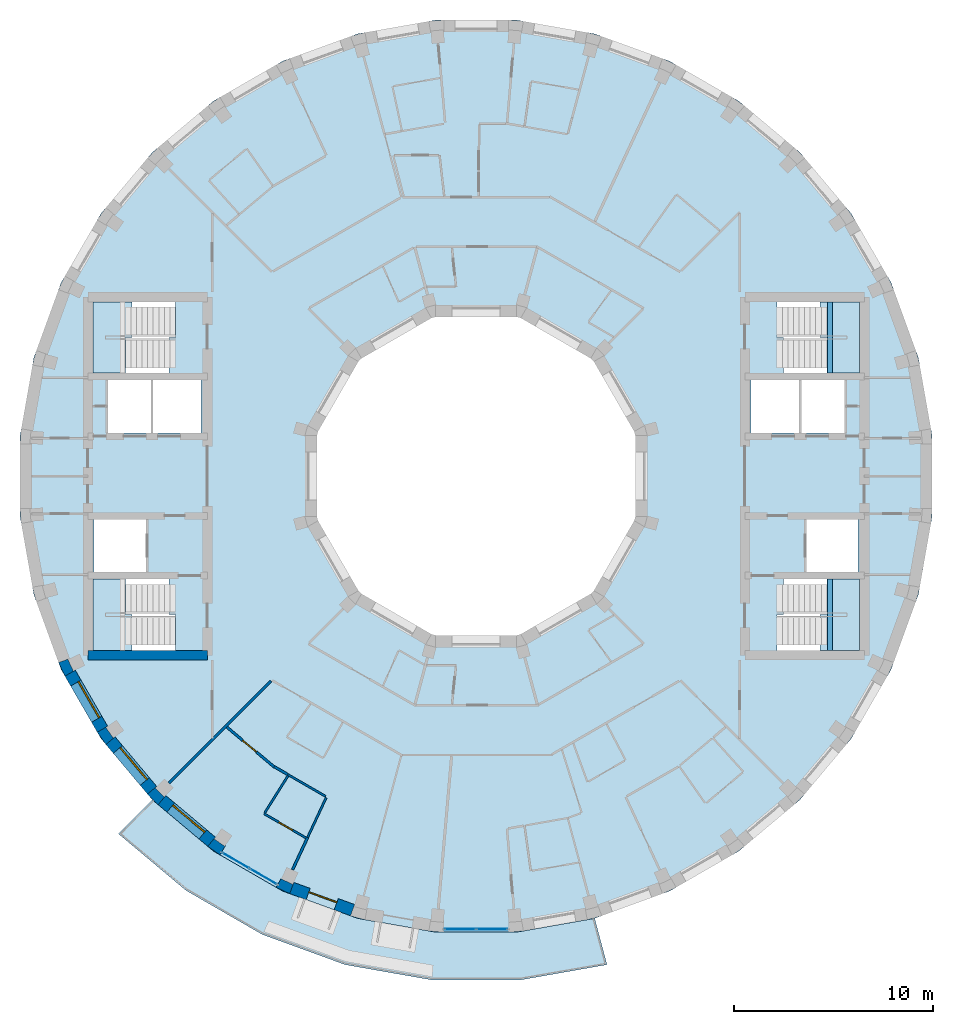
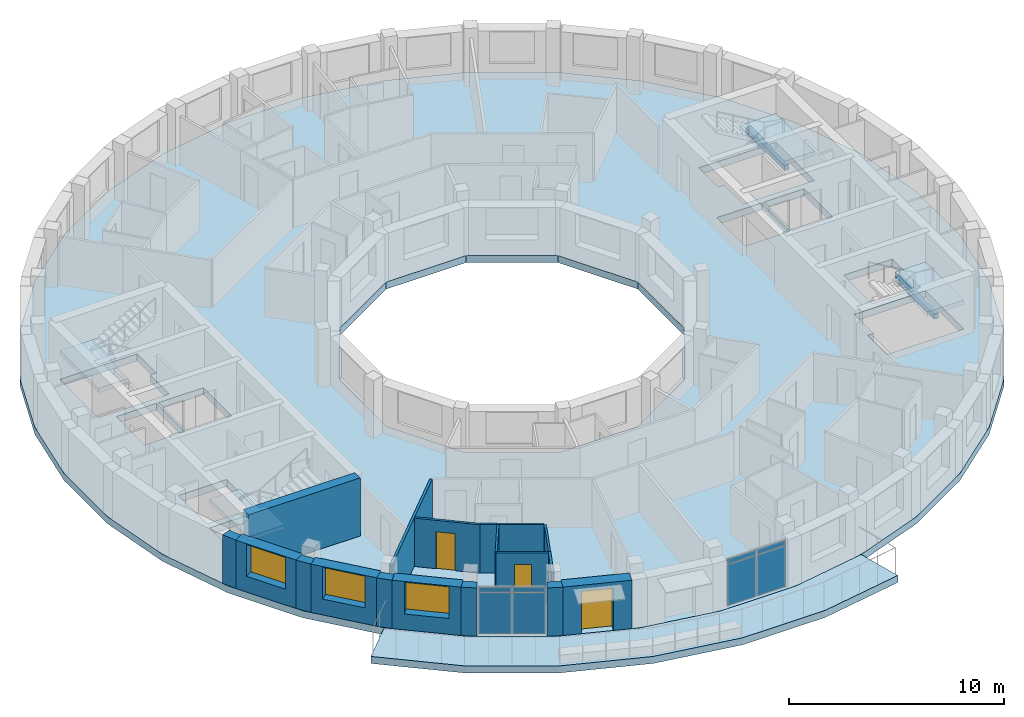
# One storey, part 3 of 12: 18 walls, 8 plates, 6 slabs, 3 doors, 3 windows, 2 beams, 6 openings, 6 elements without a shape of their own.
"""IFC4 building model written with IfcOpenShell, lengths in metres."""

import ifcopenshell
import ifcopenshell.guid

model = None  # the IFC model being written
_history = None  # IfcOwnerHistory: only IFC2X3 demands one
_inside = {}  # id of a spatial element -> (the spatial element, [elements in it])
_under = {}  # id of a project, library or spatial element -> (it, [spatial elements below it])
_declared = {}  # id of a project -> (the project, [libraries it declares])
_typed = {}  # id of a type object -> (the type object, [elements of that type])
_made_of = {}  # id of a material, layer set ... -> (it, [elements and type objects made of it])


def new_model(schema):
    """Start an empty IFC model of exactly this schema.

    Asked for "IFC4X3", IfcOpenShell would pick the latest addendum, in which some entities
    have other attributes; the version numbers below select the first issue.
    IFC2X3 requires an IfcOwnerHistory on every rooted entity: one is made here for all.
    """
    global model, _history
    if schema == "IFC4X3":
        model = ifcopenshell.file(schema_version=(4, 3, 0, 0))
    else:
        model = ifcopenshell.file(schema=schema)
    _inside.clear()
    _under.clear()
    _declared.clear()
    _typed.clear()
    _made_of.clear()
    _history = None
    if model.schema == "IFC2X3":
        org = make("IfcOrganization", Name="unknown")
        user = make(
            "IfcPersonAndOrganization",
            ThePerson=make("IfcPerson", FamilyName="unknown"),
            TheOrganization=org,
        )
        app = make(
            "IfcApplication",
            ApplicationDeveloper=org,
            Version="unknown",
            ApplicationFullName="unknown",
            ApplicationIdentifier="unknown",
        )
        _history = make(
            "IfcOwnerHistory",
            OwningUser=user,
            OwningApplication=app,
            ChangeAction="ADDED",
            CreationDate=0,
        )
    return model


def make(cls, **values):
    """One entity of the class cls with the attributes given. An attribute that is None is left unset."""
    return model.create_entity(
        cls, **{name: value for name, value in values.items() if value is not None}
    )


def rooted(cls, **values):
    """An entity with a GlobalId (a new one), such as an element, a storey or a relation."""
    return make(cls, GlobalId=ifcopenshell.guid.new(), OwnerHistory=_history, **values)


def si_unit(unit_type, name, prefix=None):
    """IfcSIUnit, for example si_unit("LENGTHUNIT", "METRE", prefix="MILLI")."""
    return make("IfcSIUnit", UnitType=unit_type, Prefix=prefix, Name=name)


def assignment(units):
    """IfcUnitAssignment: the units of a project."""
    return None if units is None else make("IfcUnitAssignment", Units=units)


def point(xyz):
    """IfcCartesianPoint."""
    return None if xyz is None else make("IfcCartesianPoint", Coordinates=xyz)


def direction(xyz):
    """IfcDirection."""
    return None if xyz is None else make("IfcDirection", DirectionRatios=xyz)


def frame(location, z_axis=None, x_axis=None):
    """IfcAxis2Placement3D, a coordinate frame: its origin and axes. An axis left out is left unset."""
    return make(
        "IfcAxis2Placement3D",
        Location=point(location),
        Axis=direction(z_axis),
        RefDirection=direction(x_axis),
    )


def frame_2d(location, x_axis=None):
    """IfcAxis2Placement2D, a coordinate frame in the plane: its origin and x axis."""
    return make(
        "IfcAxis2Placement2D", Location=point(location), RefDirection=direction(x_axis)
    )


def origin():
    """The frame at (0, 0, 0) with its axes left unset."""
    return frame((0.0, 0.0, 0.0))


def origin_2d():
    """The frame at (0, 0) in the plane with its x axis left unset."""
    return frame_2d((0.0, 0.0))


def place(relative_to, where):
    """IfcLocalPlacement: puts the frame where relative to a parent placement (None: the world)."""
    return make(
        "IfcLocalPlacement", PlacementRelTo=relative_to, RelativePlacement=where
    )


def context(
    kind, dimensions, precision=None, world=None, true_north=None, identifier=None
):
    """IfcGeometricRepresentationContext, for example the 3D "Model" context."""
    return make(
        "IfcGeometricRepresentationContext",
        ContextIdentifier=identifier,
        ContextType=kind,
        CoordinateSpaceDimension=dimensions,
        Precision=precision,
        WorldCoordinateSystem=world,
        TrueNorth=true_north,
    )


def subcontext(parent, identifier, kind, view, scale=None):
    """IfcGeometricRepresentationSubContext, for example "Body" below "Model"."""
    return make(
        "IfcGeometricRepresentationSubContext",
        ContextIdentifier=identifier,
        ContextType=kind,
        ParentContext=parent,
        TargetScale=scale,
        TargetView=view,
    )


def project(units=None, contexts=None):
    """IfcProject with its units and contexts."""
    return rooted(
        "IfcProject",
        Name="project",
        RepresentationContexts=contexts,
        UnitsInContext=assignment(units),
    )


def spatial(cls, under=None, at=None, **own):
    """A site, building, storey or space (cls), placed at a placement, below another one or the project."""
    s = rooted(cls, ObjectPlacement=at, **own)
    if under is not None:
        _under.setdefault(under.id(), (under, []))[1].append(s)
    return s


def polyline(points):
    """IfcPolyline through the points."""
    return make("IfcPolyline", Points=[point(p) for p in points])


def profile(cls, at=None, kind="AREA", **sizes):
    """A parametric profile (cls). Its sizes go by their IFC names, for example OverallWidth=200.0."""
    return make(cls, ProfileType=kind, Position=at, **sizes)


def rectangle(**sizes):
    """IfcRectangleProfileDef."""
    return profile("IfcRectangleProfileDef", **sizes)


def outline(outer, holes=None, kind="AREA"):
    """IfcArbitraryClosedProfileDef: a profile drawn as a closed curve; with holes, ...WithVoids."""
    if holes is None:
        return make("IfcArbitraryClosedProfileDef", ProfileType=kind, OuterCurve=outer)
    return make(
        "IfcArbitraryProfileDefWithVoids",
        ProfileType=kind,
        OuterCurve=outer,
        InnerCurves=holes,
    )


def extrude(swept, where, along, depth):
    """IfcExtrudedAreaSolid: the profile swept, set in the frame where, extruded along a direction by depth."""
    return make(
        "IfcExtrudedAreaSolid",
        SweptArea=swept,
        Position=where,
        ExtrudedDirection=direction(along),
        Depth=depth,
    )


def shape(context_of_items, identifier, shape_type, items):
    """IfcShapeRepresentation: the items that make up one representation, for example the "Body"."""
    return make(
        "IfcShapeRepresentation",
        ContextOfItems=context_of_items,
        RepresentationIdentifier=identifier,
        RepresentationType=shape_type,
        Items=items,
    )


def material(Name=None, Category=None):
    """IfcMaterial."""
    return make("IfcMaterial", Name=Name, Category=Category)


def layer(
    of_material, thickness, ventilated=None, Name=None, Category=None, Priority=None
):
    """IfcMaterialLayer: one layer of a wall or slab, of a material (None: an air gap)."""
    return make(
        "IfcMaterialLayer",
        Material=of_material,
        LayerThickness=thickness,
        IsVentilated=ventilated,
        Name=Name,
        Category=Category,
        Priority=Priority,
    )


def layer_set(layers, Name=None):
    """IfcMaterialLayerSet."""
    return make("IfcMaterialLayerSet", MaterialLayers=layers, LayerSetName=Name)


def material_profile(
    of_material, cross_section, Name=None, Category=None, Priority=None
):
    """IfcMaterialProfile: a cross section and its material."""
    return make(
        "IfcMaterialProfile",
        Name=Name,
        Material=of_material,
        Profile=cross_section,
        Priority=Priority,
        Category=Category,
    )


def profile_set(profiles, Name=None, composite=None):
    """IfcMaterialProfileSet."""
    return make(
        "IfcMaterialProfileSet",
        Name=Name,
        MaterialProfiles=profiles,
        CompositeProfile=composite,
    )


def made_of(thing, what):
    """Note that an element or type object is made of a material, layer set ...; save() writes the relation."""
    if what is not None:
        _made_of.setdefault(what.id(), (what, []))[1].append(thing)
    return thing


def type_object(cls, material=None, **own):
    """A type object (cls), such as IfcWallType, which elements share."""
    return made_of(rooted(cls, **own), material)


def element(
    cls,
    number,
    at=None,
    inside=None,
    cuts=None,
    type_object=None,
    material=None,
    context=None,
    identifier="Body",
    shape_type=None,
    held_by="IfcProductDefinitionShape",
    body=None,
    shapes=None,
    **own,
):
    """One element of the class cls, such as IfcWall. Its Tag is "e" and its number.

    at: its placement. inside: the storey or other place that contains it. cuts: it is an
    opening in that element (IfcRelVoidsElement). A single representation is given by context,
    identifier, shape_type and body (its items); several are given by shapes. held_by: the class
    of the entity that holds the representations. save() writes the other relations.
    """
    e = rooted(cls, Tag="e%d" % number, ObjectPlacement=at, **own)
    if body is not None:
        shapes = [shape(context, identifier, shape_type, body)]
    if shapes is not None:
        e.Representation = make(held_by, Representations=shapes)
    if inside is not None:
        _inside.setdefault(inside.id(), (inside, []))[1].append(e)
    if cuts is not None:
        rooted(
            "IfcRelVoidsElement", RelatingBuildingElement=cuts, RelatedOpeningElement=e
        )
    if type_object is not None:
        _typed.setdefault(type_object.id(), (type_object, []))[1].append(e)
    return made_of(e, material)


def fill(opening, filler):
    """IfcRelFillsElement: the door or window that sits in an opening."""
    return rooted(
        "IfcRelFillsElement",
        RelatingOpeningElement=opening,
        RelatedBuildingElement=filler,
    )


def aggregate(whole, parts):
    """IfcRelAggregates: a whole, such as a stair, and the parts it consists of."""
    return rooted("IfcRelAggregates", RelatingObject=whole, RelatedObjects=parts)


def save(model, path):
    """Write the relations noted so far, then the file.

    IfcRelAggregates (storeys below a building ...), IfcRelContainedInSpatialStructure (elements
    in a storey), IfcRelDefinesByType, IfcRelAssociatesMaterial and IfcRelDeclares: one each for
    every whole, place, type object, material and project.
    """
    for whole, parts in _under.values():
        aggregate(whole, parts)
    for where, things in _inside.values():
        rooted(
            "IfcRelContainedInSpatialStructure",
            RelatedElements=things,
            RelatingStructure=where,
        )
    for kind, things in _typed.values():
        rooted("IfcRelDefinesByType", RelatedObjects=things, RelatingType=kind)
    for what, things in _made_of.values():
        rooted("IfcRelAssociatesMaterial", RelatedObjects=things, RelatingMaterial=what)
    for by, libraries in _declared.values():
        rooted("IfcRelDeclares", RelatingContext=by, RelatedDefinitions=libraries)
    model.write(path)


model = new_model("IFC4")

# Units and contexts
model_context = context("Model", 3, precision=1e-05, world=origin(), true_north=direction((0.0, 1.0)))
body_context = subcontext(model_context, "Body", "Model", "MODEL_VIEW")
ifc_project = project(units=[si_unit("LENGTHUNIT", "METRE"), si_unit("AREAUNIT", "SQUARE_METRE"), si_unit("VOLUMEUNIT", "CUBIC_METRE"), si_unit("PLANEANGLEUNIT", "RADIAN"), si_unit("MASSUNIT", "GRAM", prefix="KILO")], contexts=[model_context])

# Site, building, storey
site_placement = place(None, origin())
site = spatial("IfcSite", under=ifc_project, at=site_placement, CompositionType="ELEMENT")
building_placement = place(site_placement, origin())
building = spatial("IfcBuilding", under=site, at=building_placement, Name="Saqina Gate Tower", CompositionType="ELEMENT")
storey_placement = place(building_placement, frame((0.0, 0.0, 275.89990234375)))
storey = spatial("IfcBuildingStorey", under=building, at=storey_placement, Name="L79", CompositionType="ELEMENT", Elevation=275.89990234375)

# Beams
ifc_material_1 = material(Name="Concrete C40/50", Category="concrete")
ifc_material_profile = material_profile(ifc_material_1, rectangle(XDim=0.25, YDim=0.300048828125, at=origin_2d()), Name="STAIR LANDING BEAM")
ifc_profile_set = profile_set([ifc_material_profile], Name="Concrete C40/50")
beam_type = type_object("IfcBeamType", Name="STAIR LANDING BEAM", PredefinedType="BEAM", material=ifc_profile_set)
for number, where, z_axis, x_axis, name in (
    (1, (17.77001953125, 5.175048828125, 1.25), (0.0, 1.0, 0.0), (-1.0, 0.0, 0.0), "EXIT STAIR 1 LANDING BEAM"),
    (2, (17.77001953125, -8.75, 1.25), (0.0, 1.0, 0.0), (-1.0, 0.0, 0.0), "EXIT STAIR 2 LANDING BEAM"),
):
    element("IfcBeam", number, at=place(storey_placement, frame(where, z_axis=z_axis, x_axis=x_axis)), inside=storey, type_object=beam_type, Name=name, PredefinedType="BEAM", context=body_context, shape_type="SweptSolid", body=[
        extrude(rectangle(XDim=0.25, YDim=0.300048828125, at=origin_2d()), origin(), (0.0, 0.0, 1.0), 3.574951171875),
    ])

# Curtain wall, plates
ifc_material_2 = material(Name="Aluminium glazing", Category="aluminium")
ifc_layer_1 = layer(ifc_material_2, 0.159912109375)
ifc_layer_set_1 = layer_set([ifc_layer_1], Name="CWT-4")
curtain_wall_type = type_object("IfcCurtainWallType", Name="CWT-4", PredefinedType="NOTDEFINED", material=ifc_layer_set_1)
curtain_wall_1_placement = place(storey_placement, origin())
curtain_wall_1 = element("IfcCurtainWall", 3, at=curtain_wall_1_placement, inside=storey, type_object=curtain_wall_type, Name="Terrace lounge glazing facet 24", PredefinedType="NOTDEFINED")
ifc_material_3 = material(Name="Glass", Category="glass")
ifc_layer_2 = layer(ifc_material_3, 0.028076171875)
ifc_layer_set_2 = layer_set([ifc_layer_2], Name="CWT-4P")
plate_type = type_object("IfcPlateType", Name="CWT-4P", PredefinedType="CURTAIN_PANEL", material=ifc_layer_set_2)
plate_1_placement = place(storey_placement, frame((-12.072265625, -19.31396484375, 0.06005859375), z_axis=(0.0, 0.0, 1.0), x_axis=(0.8660355365, -0.499982449212, 0.0)))
plate_1 = element("IfcPlate", 4, at=plate_1_placement, type_object=plate_type, Name="CW4-24 panel 1.1", PredefinedType="CURTAIN_PANEL", context=body_context, shape_type="SweptSolid", body=[
    extrude(rectangle(XDim=1.535888671875, YDim=0.028076171875, at=origin_2d()), origin(), (0.0, 0.0, 1.0), 2.31005859375),
])
plate_2_placement = place(storey_placement, frame((-12.072265625, -19.31396484375, 2.43017578125), z_axis=(0.0, 0.0, 1.0), x_axis=(0.8660355365, -0.499982449212, 0.0)))
plate_2 = element("IfcPlate", 5, at=plate_2_placement, type_object=plate_type, Name="CW4-24 panel 1.2", PredefinedType="CURTAIN_PANEL", context=body_context, shape_type="SweptSolid", body=[
    extrude(rectangle(XDim=1.535888671875, YDim=0.028076171875, at=origin_2d()), origin(), (0.0, 0.0, 1.0), 0.260009765625),
])
plate_3_placement = place(storey_placement, frame((-10.690185546875, -20.11181640625, 0.06005859375), z_axis=(0.0, 0.0, 1.0), x_axis=(0.8660355365, -0.499982449212, 0.0)))
plate_3 = element("IfcPlate", 6, at=plate_3_placement, type_object=plate_type, Name="CW4-24 panel 2.1", PredefinedType="CURTAIN_PANEL", context=body_context, shape_type="SweptSolid", body=[
    extrude(rectangle(XDim=1.535888671875, YDim=0.028076171875, at=origin_2d()), origin(), (0.0, 0.0, 1.0), 2.31005859375),
])
plate_4_placement = place(storey_placement, frame((-10.690185546875, -20.11181640625, 2.43017578125), z_axis=(0.0, 0.0, 1.0), x_axis=(0.8660355365, -0.499982449212, 0.0)))
plate_4 = element("IfcPlate", 7, at=plate_4_placement, type_object=plate_type, Name="CW4-24 panel 2.2", PredefinedType="CURTAIN_PANEL", context=body_context, shape_type="SweptSolid", body=[
    extrude(rectangle(XDim=1.535888671875, YDim=0.028076171875, at=origin_2d()), origin(), (0.0, 0.0, 1.0), 0.260009765625),
])
aggregate(curtain_wall_1, [plate_1, plate_2, plate_3, plate_4])

curtain_wall_2_placement = place(storey_placement, origin())
curtain_wall_2 = element("IfcCurtainWall", 8, at=curtain_wall_2_placement, inside=storey, type_object=curtain_wall_type, Name="Terrace lounge glazing facet 27", PredefinedType="NOTDEFINED")
plate_5_placement = place(storey_placement, frame((-0.7978515625, -22.762451171875, 0.06005859375), z_axis=(0.0, 0.0, 1.0), x_axis=(1.0, 0.0, 0.0)))
plate_5 = element("IfcPlate", 9, at=plate_5_placement, type_object=plate_type, Name="CW4-27 panel 1.1", PredefinedType="CURTAIN_PANEL", context=body_context, shape_type="SweptSolid", body=[
    extrude(rectangle(XDim=1.535888671875, YDim=0.028076171875, at=origin_2d()), origin(), (0.0, 0.0, 1.0), 2.31005859375),
])
plate_6_placement = place(storey_placement, frame((-0.7978515625, -22.762451171875, 2.43017578125), z_axis=(0.0, 0.0, 1.0), x_axis=(1.0, 0.0, 0.0)))
plate_6 = element("IfcPlate", 10, at=plate_6_placement, type_object=plate_type, Name="CW4-27 panel 1.2", PredefinedType="CURTAIN_PANEL", context=body_context, shape_type="SweptSolid", body=[
    extrude(rectangle(XDim=1.535888671875, YDim=0.028076171875, at=origin_2d()), origin(), (0.0, 0.0, 1.0), 0.260009765625),
])
plate_7_placement = place(storey_placement, frame((0.7978515625, -22.762451171875, 0.06005859375), z_axis=(0.0, 0.0, 1.0), x_axis=(1.0, 0.0, 0.0)))
plate_7 = element("IfcPlate", 11, at=plate_7_placement, type_object=plate_type, Name="CW4-27 panel 2.1", PredefinedType="CURTAIN_PANEL", context=body_context, shape_type="SweptSolid", body=[
    extrude(rectangle(XDim=1.535888671875, YDim=0.028076171875, at=origin_2d()), origin(), (0.0, 0.0, 1.0), 2.31005859375),
])
plate_8_placement = place(storey_placement, frame((0.7978515625, -22.762451171875, 2.43017578125), z_axis=(0.0, 0.0, 1.0), x_axis=(1.0, 0.0, 0.0)))
plate_8 = element("IfcPlate", 12, at=plate_8_placement, type_object=plate_type, Name="CW4-27 panel 2.2", PredefinedType="CURTAIN_PANEL", context=body_context, shape_type="SweptSolid", body=[
    extrude(rectangle(XDim=1.535888671875, YDim=0.028076171875, at=origin_2d()), origin(), (0.0, 0.0, 1.0), 0.260009765625),
])
aggregate(curtain_wall_2, [plate_5, plate_6, plate_7, plate_8])

# Stair, slab
ifc_material_4 = material(Name="Concrete C40/50", Category="concrete")
stair_type = type_object("IfcStairType", Name="EXIT STAIR", PredefinedType="HALF_TURN_STAIR", material=ifc_material_4)
stair_1_placement = place(storey_placement, origin())
stair_1 = element("IfcStair", 13, at=stair_1_placement, inside=storey, type_object=stair_type, Name="EXIT STAIR 1", PredefinedType="HALF_TURN_STAIR")
ifc_material_5 = material(Name="Concrete C40/50", Category="concrete")
ifc_layer_3 = layer(ifc_material_5, 0.25)
ifc_layer_set_3 = layer_set([ifc_layer_3], Name="Concrete C40/50")
slab_type_1 = type_object("IfcSlabType", Name="EXIT STAIR LANDING", PredefinedType="LANDING", material=ifc_layer_set_3)
slab_1_placement = place(storey_placement, frame((0.0, 0.0, 1.400146484375)))
slab_1 = element("IfcSlab", 14, at=slab_1_placement, type_object=slab_type_1, Name="EXIT STAIR 1 LANDING 1", PredefinedType="LANDING", context=body_context, shape_type="SweptSolid", body=[
    extrude(outline(polyline([(19.25, 8.75), (19.25, 5.175048828125), (17.614990234375, 5.175048828125), (17.614990234375, 6.96240234375), (17.284423828125, 6.96240234375), (17.284423828125, 8.75), (17.614990234375, 8.75), (17.6201171875, 8.75), (19.25, 8.75)])), origin(), (0.0, 0.0, 1.0), 0.25),
])
aggregate(stair_1, [slab_1])

stair_2_placement = place(storey_placement, origin())
stair_2 = element("IfcStair", 15, at=stair_2_placement, inside=storey, type_object=stair_type, Name="EXIT STAIR 2", PredefinedType="HALF_TURN_STAIR")
slab_2_placement = place(storey_placement, frame((0.0, 0.0, 1.400146484375)))
slab_2 = element("IfcSlab", 16, at=slab_2_placement, type_object=slab_type_1, Name="EXIT STAIR 2 LANDING 1", PredefinedType="LANDING", context=body_context, shape_type="SweptSolid", body=[
    extrude(outline(polyline([(17.284423828125, -8.75), (17.284423828125, -6.96240234375), (17.614990234375, -6.96240234375), (17.614990234375, -5.175048828125), (19.25, -5.175048828125), (19.25, -8.75), (17.6201171875, -8.75), (17.614990234375, -8.75), (17.284423828125, -8.75)])), origin(), (0.0, 0.0, 1.0), 0.25),
])
aggregate(stair_2, [slab_2])

stair_3_placement = place(storey_placement, origin())
stair_3 = element("IfcStair", 17, at=stair_3_placement, inside=storey, type_object=stair_type, Name="EXIT STAIR 3", PredefinedType="HALF_TURN_STAIR")
slab_3_placement = place(storey_placement, frame((0.0, 0.0, 1.400146484375)))
slab_3 = element("IfcSlab", 18, at=slab_3_placement, type_object=slab_type_1, Name="EXIT STAIR 3 LANDING 1", PredefinedType="LANDING", context=body_context, shape_type="SweptSolid", body=[
    extrude(outline(polyline([(-17.614990234375, 5.175048828125), (-19.25, 5.175048828125), (-19.25, 8.75), (-17.6201171875, 8.75), (-17.614990234375, 8.75), (-17.284423828125, 8.75), (-17.284423828125, 6.96240234375), (-17.614990234375, 6.96240234375), (-17.614990234375, 5.175048828125)])), origin(), (0.0, 0.0, 1.0), 0.25),
])
aggregate(stair_3, [slab_3])

stair_4_placement = place(storey_placement, origin())
stair_4 = element("IfcStair", 19, at=stair_4_placement, inside=storey, type_object=stair_type, Name="EXIT STAIR 4", PredefinedType="HALF_TURN_STAIR")
slab_4_placement = place(storey_placement, frame((0.0, 0.0, 1.400146484375)))
slab_4 = element("IfcSlab", 20, at=slab_4_placement, type_object=slab_type_1, Name="EXIT STAIR 4 LANDING 1", PredefinedType="LANDING", context=body_context, shape_type="SweptSolid", body=[
    extrude(outline(polyline([(-17.284423828125, -6.96240234375), (-17.284423828125, -8.75), (-17.614990234375, -8.75), (-17.6201171875, -8.75), (-19.25, -8.75), (-19.25, -5.175048828125), (-17.614990234375, -5.175048828125), (-17.614990234375, -6.96240234375), (-17.284423828125, -6.96240234375)])), origin(), (0.0, 0.0, 1.0), 0.25),
])
aggregate(stair_4, [slab_4])

# Slabs
ifc_material_6 = material(Name="Concrete C40/50", Category="concrete")
ifc_layer_4 = layer(ifc_material_6, 0.39990234375)
ifc_layer_set_4 = layer_set([ifc_layer_4], Name="Concrete C40/50")
slab_type_2 = type_object("IfcSlabType", Name="STR-POST-TENSIONED FLAT PLATE FLOOR-400", PredefinedType="FLOOR", material=ifc_layer_set_4)
slab_5_placement = place(storey_placement, frame((0.0, 0.0, -0.39990234375)))
element("IfcSlab", 21, at=slab_5_placement, inside=storey, type_object=slab_type_2, Name="L79-SLB01", PredefinedType="FLOOR", context=body_context, shape_type="SweptSolid", body=[
    extrude(outline(polyline([(22.21630859375, -5.952880859375), (22.91259765625, -2.004638671875), (22.91259765625, 2.004638671875), (22.21630859375, 5.952880859375), (20.844970703125, 9.72021484375), (18.840576171875, 13.192138671875), (16.263427734375, 16.263427734375), (13.192138671875, 18.840576171875), (9.72021484375, 20.844970703125), (5.952880859375, 22.21630859375), (2.004638671875, 22.91259765625), (-2.004638671875, 22.91259765625), (-5.952880859375, 22.21630859375), (-9.72021484375, 20.844970703125), (-13.192138671875, 18.840576171875), (-16.263427734375, 16.263427734375), (-18.840576171875, 13.192138671875), (-20.844970703125, 9.72021484375), (-22.21630859375, 5.952880859375), (-22.91259765625, 2.004638671875), (-22.91259765625, -2.004638671875), (-22.21630859375, -5.952880859375), (-20.844970703125, -9.72021484375), (-18.840576171875, -13.192138671875), (-16.263427734375, -16.263427734375), (-13.192138671875, -18.840576171875), (-9.72021484375, -20.844970703125), (-5.952880859375, -22.21630859375), (-2.004638671875, -22.91259765625), (2.004638671875, -22.91259765625), (5.952880859375, -22.21630859375), (9.72021484375, -20.844970703125), (13.192138671875, -18.840576171875), (16.263427734375, -16.263427734375), (18.840576171875, -13.192138671875), (20.844970703125, -9.72021484375), (22.21630859375, -5.952880859375)]), holes=[polyline([(2.1435546875, 8.0), (5.8564453125, 5.8564453125), (8.0, 2.1435546875), (8.0, -2.1435546875), (5.8564453125, -5.8564453125), (2.1435546875, -8.0), (-2.1435546875, -8.0), (-5.8564453125, -5.8564453125), (-8.0, -2.1435546875), (-8.0, 2.1435546875), (-5.8564453125, 5.8564453125), (-2.1435546875, 8.0), (2.1435546875, 8.0)]), polyline([(-15.10498046875, -8.75), (-19.25, -8.75), (-19.25, -6.96240234375), (-19.25, -5.175048828125), (-15.435546875, -5.175048828125), (-15.435546875, -6.96240234375), (-15.10498046875, -6.96240234375), (-15.10498046875, -8.75)]), polyline([(-16.590087890625, -2.175048828125), (-16.590087890625, -4.824951171875), (-19.18994140625, -4.824951171875), (-19.18994140625, -2.175048828125), (-16.590087890625, -2.175048828125)]), polyline([(-16.340087890625, 4.824951171875), (-16.340087890625, 2.175048828125), (-18.5, 2.175048828125), (-18.5, 4.824951171875), (-16.340087890625, 4.824951171875)]), polyline([(-13.81005859375, 4.824951171875), (-13.81005859375, 2.175048828125), (-16.219970703125, 2.175048828125), (-16.219970703125, 4.824951171875), (-13.81005859375, 4.824951171875)]), polyline([(-19.25, 6.96240234375), (-19.25, 8.75), (-15.10498046875, 8.75), (-15.10498046875, 6.96240234375), (-15.435546875, 6.96240234375), (-15.435546875, 5.175048828125), (-19.25, 5.175048828125), (-19.25, 6.96240234375)]), polyline([(15.10498046875, -8.75), (15.10498046875, -6.96240234375), (15.435546875, -6.96240234375), (15.435546875, -5.175048828125), (19.25, -5.175048828125), (19.25, -6.96240234375), (19.25, -8.75), (15.10498046875, -8.75)]), polyline([(19.18994140625, -2.175048828125), (19.18994140625, -4.824951171875), (16.590087890625, -4.824951171875), (16.590087890625, -2.175048828125), (19.18994140625, -2.175048828125)]), polyline([(16.219970703125, 4.824951171875), (16.219970703125, 2.175048828125), (13.81005859375, 2.175048828125), (13.81005859375, 4.824951171875), (16.219970703125, 4.824951171875)]), polyline([(18.5, 4.824951171875), (18.5, 2.175048828125), (16.340087890625, 2.175048828125), (16.340087890625, 4.824951171875), (18.5, 4.824951171875)]), polyline([(15.435546875, 6.96240234375), (15.10498046875, 6.96240234375), (15.10498046875, 8.75), (19.25, 8.75), (19.25, 6.96240234375), (19.25, 5.175048828125), (15.435546875, 5.175048828125), (15.435546875, 6.96240234375)])]), origin(), (0.0, 0.0, 1.0), 0.39990234375),
])
ifc_material_7 = material(Name="Concrete C40/50", Category="concrete")
ifc_layer_5 = layer(ifc_material_7, 0.39990234375)
ifc_layer_set_5 = layer_set([ifc_layer_5], Name="Concrete C40/50")
slab_type_3 = type_object("IfcSlabType", Name="STR-POST-TENSIONED FLAT PLATE TERRACE-400", PredefinedType="FLOOR", material=ifc_layer_set_5)
slab_6_placement = place(storey_placement, frame((0.0, 0.0, -0.39990234375)))
element("IfcSlab", 22, at=slab_6_placement, inside=storey, type_object=slab_type_3, Name="L79-TRS01", PredefinedType="FLOOR", context=body_context, shape_type="SweptSolid", body=[
    extrude(outline(polyline([(-16.263427734375, -16.263427734375), (-13.192138671875, -18.840576171875), (-9.72021484375, -20.844970703125), (-5.952880859375, -22.21630859375), (-2.004638671875, -22.91259765625), (2.004638671875, -22.91259765625), (5.952880859375, -22.21630859375), (6.576416015625, -24.54345703125), (2.214599609375, -25.3125), (-2.214599609375, -25.3125), (-6.576416015625, -24.54345703125), (-10.73828125, -23.028564453125), (-14.57421875, -20.81396484375), (-17.967041015625, -17.967041015625), (-16.263427734375, -16.263427734375)])), origin(), (0.0, 0.0, 1.0), 0.39990234375),
])

# Walls
ifc_material_8 = material(Name="Brick masonry (buff)", Category="masonry")
wall_type_1 = type_object("IfcWallType", Name="BRICK PIER COPING BUFF", PredefinedType="SOLIDWALL", material=ifc_material_8)
wall_1_placement = place(storey_placement, origin())
element("IfcWall", 23, at=wall_1_placement, inside=storey, type_object=wall_type_1, Name="Pier cap L79 column 21", PredefinedType="SOLIDWALL", context=body_context, shape_type="SweptSolid", body=[
    extrude(outline(polyline([(-20.974609375, -9.3642578125), (-20.65576171875, -10.048095703125), (-20.135986328125, -9.748291015625), (-20.23193359375, -9.79296875), (-20.506591796875, -9.203857421875), (-20.410888671875, -9.1591796875), (-20.974609375, -9.3642578125)])), origin(), (0.0, 0.0, 1.0), 2.75),
])
wall_2_placement = place(storey_placement, origin())
element("IfcWall", 24, at=wall_2_placement, inside=storey, type_object=wall_type_1, Name="Pier cap L79 column 22", PredefinedType="SOLIDWALL", context=body_context, shape_type="SweptSolid", body=[
    extrude(outline(polyline([(-19.02978515625, -12.8642578125), (-18.59716796875, -13.482421875), (-18.137451171875, -13.0966796875), (-18.22412109375, -13.157470703125), (-18.596923828125, -12.625), (-18.51025390625, -12.564208984375), (-19.02978515625, -12.8642578125)])), origin(), (0.0, 0.0, 1.0), 2.75),
])
wall_3_placement = place(storey_placement, origin())
element("IfcWall", 25, at=wall_3_placement, inside=storey, type_object=wall_type_1, Name="Pier cap L79 column 23", PredefinedType="SOLIDWALL", context=body_context, shape_type="SweptSolid", body=[
    extrude(outline(polyline([(-15.973388671875, -16.5068359375), (-15.587646484375, -16.04736328125), (-15.662353515625, -16.1220703125), (-16.1220703125, -15.662353515625), (-16.04736328125, -15.587646484375), (-16.5068359375, -15.973388671875), (-15.973388671875, -16.5068359375)])), origin(), (0.0, 0.0, 1.0), 2.75),
])
wall_4_placement = place(storey_placement, origin())
element("IfcWall", 26, at=wall_4_placement, inside=storey, type_object=wall_type_1, Name="Pier cap L79 column 24", PredefinedType="SOLIDWALL", context=body_context, shape_type="SweptSolid", body=[
    extrude(outline(polyline([(-12.8642578125, -19.02978515625), (-12.564208984375, -18.51025390625), (-12.625, -18.596923828125), (-13.157470703125, -18.22412109375), (-13.0966796875, -18.137451171875), (-13.482421875, -18.59716796875), (-12.8642578125, -19.02978515625)])), origin(), (0.0, 0.0, 1.0), 2.75),
])
wall_5_placement = place(storey_placement, origin())
element("IfcWall", 27, at=wall_5_placement, inside=storey, type_object=wall_type_1, Name="Pier cap L79 column 25", PredefinedType="SOLIDWALL", context=body_context, shape_type="SweptSolid", body=[
    extrude(outline(polyline([(-10.048095703125, -20.65576171875), (-9.3642578125, -20.974609375), (-9.1591796875, -20.410888671875), (-9.203857421875, -20.506591796875), (-9.79296875, -20.23193359375), (-9.748291015625, -20.135986328125), (-10.048095703125, -20.65576171875)])), origin(), (0.0, 0.0, 1.0), 2.75),
])

# Wall, opening, window
ifc_material_9 = material(Name="Brick masonry (buff)", Category="masonry")
ifc_layer_6 = layer(ifc_material_9, 0.60009765625)
ifc_layer_set_6 = layer_set([ifc_layer_6], Name="FW-BRICK-BUFF")
wall_type_2 = type_object("IfcWallType", Name="FW-BRICK-BUFF", PredefinedType="SOLIDWALL", material=ifc_layer_set_6)
wall_6_placement = place(storey_placement, frame((-20.39599609375, -9.898193359375, 0.0), z_axis=(0.0, 0.0, 1.0), x_axis=(0.500014901547, -0.866016800201, 0.0)))
wall_6 = element("IfcWall", 28, at=wall_6_placement, inside=storey, type_object=wall_type_2, Name="Facade wall L79 facet 21", PredefinedType="SOLIDWALL", context=body_context, shape_type="SweptSolid", body=[
    extrude(rectangle(XDim=3.251953125, YDim=0.60009765625, at=frame_2d((1.6259765625, 0.0))), origin(), (0.0, 0.0, 1.0), 2.75),
])
opening_1_placement = place(wall_6_placement, frame((0.57568359375, 0.0, 0.89990234375)))
opening_1 = element("IfcOpeningElement", 29, at=opening_1_placement, cuts=wall_6, Name="Opening G23-W14", PredefinedType="OPENING", context=body_context, shape_type="SweptSolid", body=[
    extrude(rectangle(XDim=2.10009765625, YDim=1.800048828125, at=frame_2d((1.050048828125, 0.89990234375))), frame((0.0, 0.31201171875, 0.0), z_axis=(0.0, -1.0, 0.0), x_axis=(1.0, 0.0, 0.0)), (0.0, 0.0, 1.0), 0.6240234375),
])
ifc_material_10 = material(Name="Aluminium glazing", Category="aluminium")
window_type = type_object("IfcWindowType", Name="WN-D", PartitioningType="SINGLE_PANEL", PredefinedType="WINDOW", material=ifc_material_10)
window_1_placement = place(opening_1_placement, origin())
window_1 = element("IfcWindow", 30, at=window_1_placement, inside=storey, type_object=window_type, Name="Window L79 facet 21", OverallHeight=1.800048828125, OverallWidth=2.10009765625, PartitioningType="SINGLE_PANEL", PredefinedType="WINDOW", context=body_context, shape_type="SweptSolid", body=[
    extrude(rectangle(XDim=2.10009765625, YDim=1.800048828125, at=frame_2d((1.050048828125, 0.89990234375))), frame((0.0, 0.179931640625, 0.0), z_axis=(0.0, -1.0, 0.0), x_axis=(1.0, 0.0, 0.0)), (0.0, 0.0, 1.0), 0.06005859375),
])
fill(opening_1, window_1)

wall_7_placement = place(storey_placement, frame((-18.3671875, -13.28955078125, 0.0), z_axis=(0.0, 0.0, 1.0), x_axis=(0.64277291405, -0.766056773982, 0.0)))
wall_7 = element("IfcWall", 31, at=wall_7_placement, inside=storey, type_object=wall_type_2, Name="Facade wall L79 facet 22", PredefinedType="SOLIDWALL", context=body_context, shape_type="SweptSolid", body=[
    extrude(rectangle(XDim=3.251708984375, YDim=0.60009765625, at=frame_2d((1.6259765625, 0.0))), origin(), (0.0, 0.0, 1.0), 2.75),
])
opening_2_placement = place(wall_7_placement, frame((0.57568359375, 0.0, 0.89990234375)))
opening_2 = element("IfcOpeningElement", 32, at=opening_2_placement, cuts=wall_7, Name="Opening G23-W15", PredefinedType="OPENING", context=body_context, shape_type="SweptSolid", body=[
    extrude(rectangle(XDim=2.10009765625, YDim=1.800048828125, at=frame_2d((1.050048828125, 0.89990234375))), frame((0.0, 0.31201171875, 0.0), z_axis=(0.0, -1.0, 0.0), x_axis=(1.0, 0.0, 0.0)), (0.0, 0.0, 1.0), 0.6240234375),
])
window_2_placement = place(opening_2_placement, origin())
window_2 = element("IfcWindow", 33, at=window_2_placement, inside=storey, type_object=window_type, Name="Window L79 facet 22", OverallHeight=1.800048828125, OverallWidth=2.10009765625, PartitioningType="SINGLE_PANEL", PredefinedType="WINDOW", context=body_context, shape_type="SweptSolid", body=[
    extrude(rectangle(XDim=2.10009765625, YDim=1.800048828125, at=frame_2d((1.050048828125, 0.89990234375))), frame((0.0, 0.179931640625, 0.0), z_axis=(0.0, -1.0, 0.0), x_axis=(1.0, 0.0, 0.0)), (0.0, 0.0, 1.0), 0.06005859375),
])
fill(opening_2, window_2)

wall_8_placement = place(storey_placement, frame((-15.780517578125, -16.277099609375, 0.0), z_axis=(0.0, 0.0, 1.0), x_axis=(0.766056773982, -0.64277291405, 0.0)))
wall_8 = element("IfcWall", 34, at=wall_8_placement, inside=storey, type_object=wall_type_2, Name="Facade wall L79 facet 23", PredefinedType="SOLIDWALL", context=body_context, shape_type="SweptSolid", body=[
    extrude(rectangle(XDim=3.251708984375, YDim=0.60009765625, at=frame_2d((1.6259765625, 0.0))), origin(), (0.0, 0.0, 1.0), 2.75),
])
opening_3_placement = place(wall_8_placement, frame((0.57568359375, 0.0, 0.89990234375)))
opening_3 = element("IfcOpeningElement", 35, at=opening_3_placement, cuts=wall_8, Name="Opening G23-W16", PredefinedType="OPENING", context=body_context, shape_type="SweptSolid", body=[
    extrude(rectangle(XDim=2.10009765625, YDim=1.800048828125, at=frame_2d((1.050048828125, 0.89990234375))), frame((0.0, 0.31201171875, 0.0), z_axis=(0.0, -1.0, 0.0), x_axis=(1.0, 0.0, 0.0)), (0.0, 0.0, 1.0), 0.6240234375),
])
window_3_placement = place(opening_3_placement, origin())
window_3 = element("IfcWindow", 36, at=window_3_placement, inside=storey, type_object=window_type, Name="Window L79 facet 23", OverallHeight=1.800048828125, OverallWidth=2.10009765625, PartitioningType="SINGLE_PANEL", PredefinedType="WINDOW", context=body_context, shape_type="SweptSolid", body=[
    extrude(rectangle(XDim=2.10009765625, YDim=1.800048828125, at=frame_2d((1.050048828125, 0.89990234375))), frame((0.0, 0.179931640625, 0.0), z_axis=(0.0, -1.0, 0.0), x_axis=(1.0, 0.0, 0.0)), (0.0, 0.0, 1.0), 0.06005859375),
])
fill(opening_3, window_3)

# Wall, opening, door
wall_9_placement = place(storey_placement, frame((-9.26171875, -20.692626953125, 0.0), z_axis=(0.0, 0.0, 1.0), x_axis=(0.939679383794, -0.342056509473, 0.0)))
wall_9 = element("IfcWall", 37, at=wall_9_placement, inside=storey, type_object=wall_type_2, Name="Facade wall L79 facet 25", PredefinedType="SOLIDWALL", context=body_context, shape_type="SweptSolid", body=[
    extrude(rectangle(XDim=3.251708984375, YDim=0.60009765625, at=frame_2d((1.6259765625, 0.0))), origin(), (0.0, 0.0, 1.0), 2.75),
])
opening_4_placement = place(wall_9_placement, frame((0.875732421875, 0.0, 0.0)))
opening_4 = element("IfcOpeningElement", 38, at=opening_4_placement, cuts=wall_9, Name="Opening G23-D80", PredefinedType="OPENING", context=body_context, shape_type="SweptSolid", body=[
    extrude(rectangle(XDim=1.5, YDim=2.39990234375, at=frame_2d((0.75, 1.199951171875))), frame((0.0, 0.31201171875, 0.0), z_axis=(0.0, -1.0, 0.0), x_axis=(1.0, 0.0, 0.0)), (0.0, 0.0, 1.0), 0.6240234375),
])
ifc_material_11 = material(Name="Aluminium glazing", Category="aluminium")
door_type_1 = type_object("IfcDoorType", Name="GD-D", OperationType="DOUBLE_DOOR_SINGLE_SWING", PredefinedType="DOOR", material=ifc_material_11)
door_1_placement = place(opening_4_placement, frame((1.5, 0.0, 0.0), z_axis=(0.0, 0.0, 1.0), x_axis=(-1.0, 0.0, 0.0)))
door_1 = element("IfcDoor", 39, at=door_1_placement, inside=storey, type_object=door_type_1, Name="Terrace door L79 facet 25", OperationType="DOUBLE_DOOR_SINGLE_SWING", OverallHeight=2.39990234375, OverallWidth=1.5, PredefinedType="DOOR", context=body_context, shape_type="SweptSolid", body=[
    extrude(rectangle(XDim=1.5, YDim=2.39990234375, at=frame_2d((0.75, 1.199951171875))), frame((0.0, -0.0751953125, 0.0), z_axis=(0.0, -1.0, 0.0), x_axis=(1.0, 0.0, 0.0)), (0.0, 0.0, 1.0), 0.050048828125),
])
fill(opening_4, door_1)

ifc_material_12 = material(Name="Gypsum board on steel studs, 100 mm", Category="steel")
ifc_layer_7 = layer(ifc_material_12, 0.10009765625)
ifc_layer_set_7 = layer_set([ifc_layer_7], Name="PARTITION 100")
wall_type_3 = type_object("IfcWallType", Name="PARTITION 100", PredefinedType="PARTITIONING", material=ifc_layer_set_7)
wall_10_placement = place(storey_placement, frame((-10.64697265625, -16.9619140625, 0.0), z_axis=(0.0, 0.0, 1.0), x_axis=(0.866072215893, -0.499918910283, 0.0)))
wall_10 = element("IfcWall", 40, at=wall_10_placement, inside=storey, type_object=wall_type_3, Name="PARTITION PW3-18", PredefinedType="PARTITIONING", context=body_context, shape_type="SweptSolid", body=[
    extrude(rectangle(XDim=2.4384765625, YDim=0.10009765625, at=frame_2d((1.21923828125, 0.0))), origin(), (0.0, 0.0, 1.0), 2.75),
])
opening_5_placement = place(wall_10_placement, frame((0.845703125, 0.0, 0.0)))
opening_5 = element("IfcOpeningElement", 41, at=opening_5_placement, cuts=wall_10, Name="Opening G23-D26", PredefinedType="OPENING", context=body_context, shape_type="SweptSolid", body=[
    extrude(rectangle(XDim=0.800048828125, YDim=2.10009765625, at=frame_2d((0.39990234375, 1.050048828125))), frame((0.0, 0.06201171875, 0.0), z_axis=(0.0, -1.0, 0.0), x_axis=(1.0, 0.0, 0.0)), (0.0, 0.0, 1.0), 0.1240234375),
])
ifc_material_13 = material(Name="Timber door leaf, 800 mm", Category="wood")
door_type_2 = type_object("IfcDoorType", Name="DOOR 800 TIMBER", OperationType="SINGLE_SWING_LEFT", PredefinedType="DOOR", material=ifc_material_13)
door_2_placement = place(opening_5_placement, frame((0.800048828125, 0.0, 0.0), z_axis=(0.0, 0.0, 1.0), x_axis=(-1.0, 0.0, 0.0)))
door_2 = element("IfcDoor", 42, at=door_2_placement, inside=storey, type_object=door_type_2, Name="DOOR G23-D26", OperationType="SINGLE_SWING_LEFT", OverallHeight=2.10009765625, OverallWidth=0.800048828125, PredefinedType="DOOR", context=body_context, shape_type="SweptSolid", body=[
    extrude(rectangle(XDim=0.800048828125, YDim=2.10009765625, at=frame_2d((0.39990234375, 1.050048828125))), frame((0.0, 0.02490234375, 0.0), z_axis=(0.0, -1.0, 0.0), x_axis=(1.0, 0.0, 0.0)), (0.0, 0.0, 1.0), 0.050048828125),
])
fill(opening_5, door_2)

# Walls
wall_11_placement = place(storey_placement, frame((-9.46728515625, -14.986328125, 0.0), z_axis=(0.0, 0.0, 1.0), x_axis=(0.866006764117, -0.500032283461, 0.0)))
element("IfcWall", 43, at=wall_11_placement, inside=storey, type_object=wall_type_3, Name="PARTITION PW3-19", PredefinedType="PARTITIONING", context=body_context, shape_type="SweptSolid", body=[
    extrude(rectangle(XDim=2.205322265625, YDim=0.10009765625, at=frame_2d((1.1025390625, 0.0))), origin(), (0.0, 0.0, 1.0), 2.75),
])
wall_12_placement = place(storey_placement, frame((-10.619384765625, -16.91796875, 0.0), z_axis=(0.0, 0.0, 1.0), x_axis=(0.531622942945, 0.84698113706, 0.0)))
element("IfcWall", 44, at=wall_12_placement, inside=storey, type_object=wall_type_3, Name="PARTITION PW3-44", PredefinedType="PARTITIONING", context=body_context, shape_type="SweptSolid", body=[
    extrude(rectangle(XDim=2.187744140625, YDim=0.10009765625, at=frame_2d((1.09375, 0.0))), origin(), (0.0, 0.0, 1.0), 2.75),
])
wall_13_placement = place(storey_placement, frame((-8.463623046875, -18.150390625, 0.0), z_axis=(0.0, 0.0, 1.0), x_axis=(0.422599526454, 0.906316523208, 0.0)))
element("IfcWall", 45, at=wall_13_placement, inside=storey, type_object=wall_type_3, Name="PARTITION PW3-46", PredefinedType="PARTITIONING", context=body_context, shape_type="SweptSolid", body=[
    extrude(rectangle(XDim=2.197021484375, YDim=0.10009765625, at=frame_2d((1.0986328125, 0.0))), origin(), (0.0, 0.0, 1.0), 2.75),
])

# Wall, opening, door
ifc_material_14 = material(Name="Gypsum board on steel studs, 125 mm, fire rated", Category="steel")
ifc_layer_8 = layer(ifc_material_14, 0.125)
ifc_layer_set_8 = layer_set([ifc_layer_8], Name="PARTITION EI 30 125")
wall_type_4 = type_object("IfcWallType", Name="PARTITION EI 30 125", PredefinedType="PARTITIONING", material=ifc_layer_set_8)
wall_14_placement = place(storey_placement, frame((-12.520751953125, -12.608154296875, 0.0), z_axis=(0.0, 0.0, 1.0), x_axis=(0.764770295867, -0.644303030071, 0.0)))
wall_14 = element("IfcWall", 46, at=wall_14_placement, inside=storey, type_object=wall_type_4, Name="PARTITION PW1-11", PredefinedType="PARTITIONING", context=body_context, shape_type="SweptSolid", body=[
    extrude(rectangle(XDim=3.100830078125, YDim=0.125, at=frame_2d((1.55029296875, 0.0))), origin(), (0.0, 0.0, 1.0), 2.75),
])
opening_6_placement = place(wall_14_placement, frame((1.035888671875, 0.0, 0.0)))
opening_6 = element("IfcOpeningElement", 47, at=opening_6_placement, cuts=wall_14, Name="Opening G23-D23", PredefinedType="OPENING", context=body_context, shape_type="SweptSolid", body=[
    extrude(rectangle(XDim=0.89990234375, YDim=2.10009765625, at=frame_2d((0.449951171875, 1.050048828125))), frame((0.0, 0.074462890625, 0.0), z_axis=(0.0, -1.0, 0.0), x_axis=(1.0, 0.0, 0.0)), (0.0, 0.0, 1.0), 0.14892578125),
])
ifc_material_15 = material(Name="Fire door leaf EI 30, 900 mm")
door_type_3 = type_object("IfcDoorType", Name="DOOR 900 EI 30", OperationType="SINGLE_SWING_LEFT", PredefinedType="DOOR", material=ifc_material_15)
door_3_placement = place(opening_6_placement, origin())
door_3 = element("IfcDoor", 48, at=door_3_placement, inside=storey, type_object=door_type_3, Name="DOOR G23-D23", OperationType="SINGLE_SWING_LEFT", OverallHeight=2.10009765625, OverallWidth=0.89990234375, PredefinedType="DOOR", context=body_context, shape_type="SweptSolid", body=[
    extrude(rectangle(XDim=0.89990234375, YDim=2.10009765625, at=frame_2d((0.449951171875, 1.050048828125))), frame((0.0, 0.02490234375, 0.0), z_axis=(0.0, -1.0, 0.0), x_axis=(1.0, 0.0, 0.0)), (0.0, 0.0, 1.0), 0.050048828125),
])
fill(opening_6, door_3)

# Walls
wall_15_placement = place(storey_placement, frame((-10.143798828125, -14.59619140625, 0.0), z_axis=(0.0, 0.0, 1.0), x_axis=(0.866487258755, -0.499199189117, 0.0)))
element("IfcWall", 49, at=wall_15_placement, inside=storey, type_object=wall_type_4, Name="PARTITION PW1-12", PredefinedType="PARTITIONING", context=body_context, shape_type="SweptSolid", body=[
    extrude(rectangle(XDim=0.781005859375, YDim=0.125, at=frame_2d((0.390625, 0.0))), origin(), (0.0, 0.0, 1.0), 2.75),
])
wall_16_placement = place(storey_placement, frame((-15.425537109375, -15.425537109375, 0.0), z_axis=(0.0, 0.0, 1.0), x_axis=(0.707106781187, 0.707106781187, 0.0)))
element("IfcWall", 50, at=wall_16_placement, inside=storey, type_object=wall_type_4, Name="PARTITION PW1-32", PredefinedType="PARTITIONING", context=body_context, shape_type="SweptSolid", body=[
    extrude(rectangle(XDim=7.248291015625, YDim=0.125, at=frame_2d((3.6240234375, 0.0))), origin(), (0.0, 0.0, 1.0), 2.75),
])
wall_17_placement = place(storey_placement, frame((-9.219970703125, -19.77099609375, 0.0), z_axis=(0.0, 0.0, 1.0), x_axis=(0.423191849194, 0.906040097775, 0.0)))
element("IfcWall", 51, at=wall_17_placement, inside=storey, type_object=wall_type_4, Name="PARTITION PW1-36", PredefinedType="PARTITIONING", context=body_context, shape_type="SweptSolid", body=[
    extrude(rectangle(XDim=1.788330078125, YDim=0.125, at=frame_2d((0.89404296875, 0.0))), origin(), (0.0, 0.0, 1.0), 2.75),
])
ifc_material_16 = material(Name="Concrete C60/75", Category="concrete")
ifc_layer_9 = layer(ifc_material_16, 0.5)
ifc_layer_set_9 = layer_set([ifc_layer_9], Name="Concrete C60/75")
wall_type_5 = type_object("IfcWallType", Name="STR-CORE WALL-D-O", PredefinedType="SHEAR", material=ifc_layer_set_9)
wall_18_placement = place(storey_placement, frame((-13.5, -9.0, 0.0), z_axis=(0.0, 0.0, 1.0), x_axis=(-1.0, 0.0, 0.0)))
element("IfcWall", 52, at=wall_18_placement, inside=storey, type_object=wall_type_5, Name="CORE WALL L79 W-SE", PredefinedType="SHEAR", context=body_context, shape_type="SweptSolid", body=[
    extrude(rectangle(XDim=6.0, YDim=0.5, at=frame_2d((3.0, 0.0))), origin(), (0.0, 0.0, 1.0), 3.300048828125),
])

save(model, "model.ifc")
